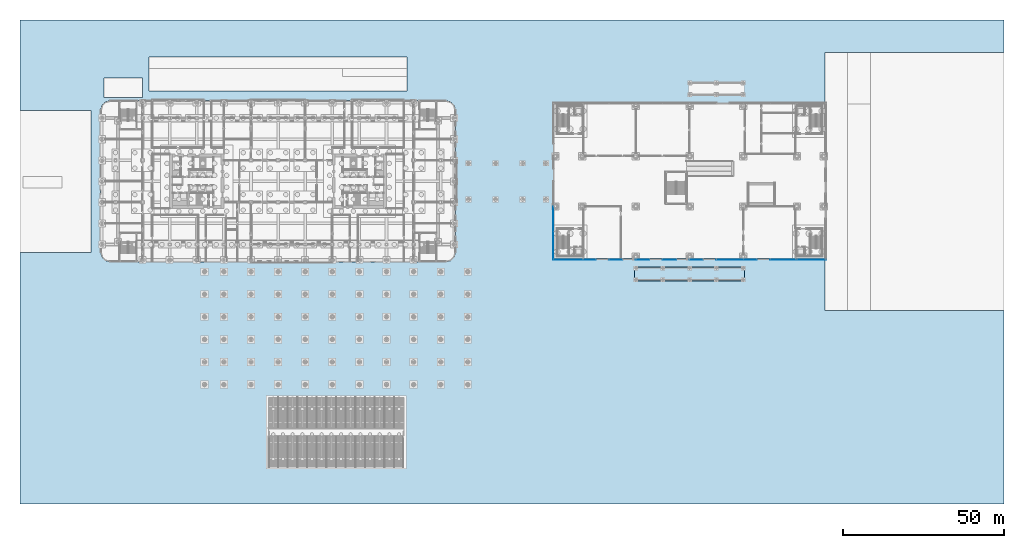
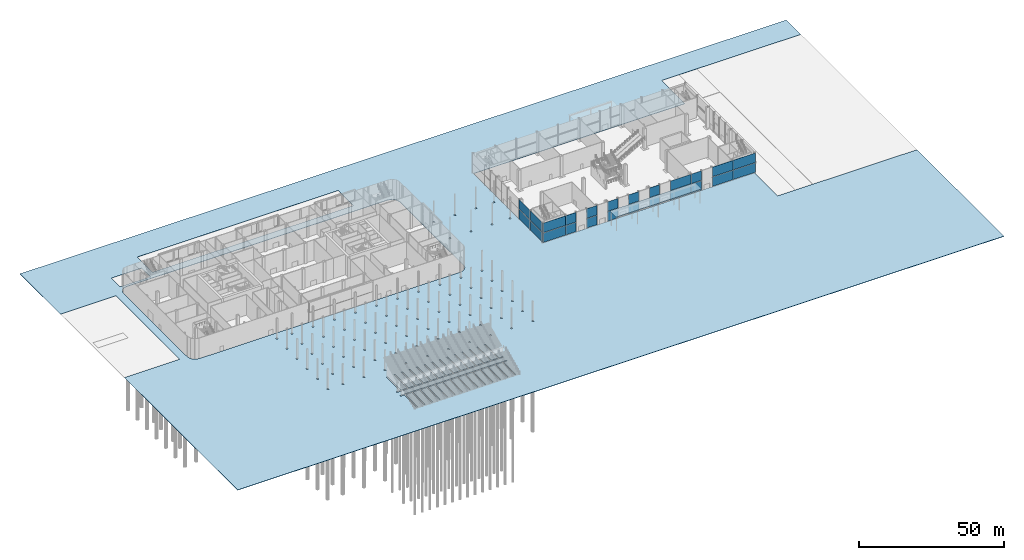
# One storey, part 32 of 113: 24 plates, 2 slabs, 2 elements without a shape of their own.
"""IFC4 building model written with IfcOpenShell, lengths in metres."""

from ifc_helpers import new_model, si_unit, direction, frame, origin, origin_2d, place, context, subcontext, project, spatial, polyline, rectangle, outline, extrude, material, layer, layer_set, type_object, element, aggregate, save


model = new_model("IFC4")

# Units and contexts
model_context = context("Model", 3, precision=1e-05, world=origin(), true_north=direction((0.0, 1.0)))
body_context = subcontext(model_context, "Body", "Model", "MODEL_VIEW")
ifc_project = project(units=[si_unit("LENGTHUNIT", "METRE"), si_unit("AREAUNIT", "SQUARE_METRE"), si_unit("VOLUMEUNIT", "CUBIC_METRE"), si_unit("PLANEANGLEUNIT", "RADIAN"), si_unit("MASSUNIT", "GRAM", prefix="KILO")], contexts=[model_context])

# Site, building, storey
site_placement = place(None, origin())
site = spatial("IfcSite", under=ifc_project, at=site_placement, CompositionType="ELEMENT")
building_placement = place(site_placement, origin())
building = spatial("IfcBuilding", under=site, at=building_placement, Name="Hakoniwa Tower and Hamabe Station Hall", CompositionType="ELEMENT")
storey_placement = place(building_placement, origin())
storey = spatial("IfcBuildingStorey", under=building, at=storey_placement, Name="L01", CompositionType="ELEMENT", Elevation=0.0)

# Slab
ifc_material_1 = material(Name="Concrete C40", Category="concrete")
ifc_layer_1 = layer(ifc_material_1, 0.199951171875)
ifc_layer_set_1 = layer_set([ifc_layer_1], Name="CANOPY ROOF SLAB 200")
slab_type_1 = type_object("IfcSlabType", Name="CANOPY ROOF SLAB 200", PredefinedType="ROOF", material=ifc_layer_set_1)
slab_1_placement = place(storey_placement, frame((0.0, 0.0, 5.949951171875)))
element("IfcSlab", 1, at=slab_1_placement, inside=storey, type_object=slab_type_1, Name="Entrance canopy S roof", PredefinedType="ROOF", context=body_context, shape_type="SweptSolid", body=[
    extrude(outline(polyline([(144.590087890625, -30.89990234375), (144.590087890625, -26.5), (110.510009765625, -26.5), (110.510009765625, -30.89990234375), (144.590087890625, -30.89990234375)])), origin(), (0.0, 0.0, 1.0), 0.199951171875),
])

# Curtain wall, plates
ifc_material_2 = material(Name="Dark low-e laminated glass", Category="glass")
ifc_layer_2 = layer(ifc_material_2, 0.199951171875)
ifc_layer_set_2 = layer_set([ifc_layer_2], Name="CW-7 STATION")
curtain_wall_type = type_object("IfcCurtainWallType", Name="CW-7 STATION", PredefinedType="NOTDEFINED", material=ifc_layer_set_2)
curtain_wall_1_placement = place(storey_placement, origin())
curtain_wall_1 = element("IfcCurtainWall", 2, at=curtain_wall_1_placement, inside=storey, type_object=curtain_wall_type, Name="Station curtain wall L01 south", PredefinedType="NOTDEFINED")
ifc_material_3 = material(Name="Dark low-e laminated glass", Category="glass")
ifc_layer_3 = layer(ifc_material_3, 0.0400390625)
ifc_layer_set_3 = layer_set([ifc_layer_3], Name="CW-7 STATION GLASS UNIT")
plate_type = type_object("IfcPlateType", Name="CW-7 STATION GLASS UNIT", PredefinedType="CURTAIN_PANEL", material=ifc_layer_set_3)
plate_1_placement = place(storey_placement, frame((89.760009765625, -24.285888671875, 0.35009765625), z_axis=(0.0, 0.0, 1.0), x_axis=(1.0, 0.0, 0.0)))
plate_1 = element("IfcPlate", 3, at=plate_1_placement, type_object=plate_type, Name="CW-7 glass unit", PredefinedType="CURTAIN_PANEL", context=body_context, shape_type="SweptSolid", body=[
    extrude(rectangle(XDim=9.0, YDim=0.0400390625, at=origin_2d()), origin(), (0.0, 0.0, 1.0), 3.989990234375),
])
plate_2_placement = place(storey_placement, frame((89.760009765625, -24.285888671875, 4.4599609375), z_axis=(0.0, 0.0, 1.0), x_axis=(1.0, 0.0, 0.0)))
plate_2 = element("IfcPlate", 4, at=plate_2_placement, type_object=plate_type, Name="CW-7 glass unit", PredefinedType="CURTAIN_PANEL", context=body_context, shape_type="SweptSolid", body=[
    extrude(rectangle(XDim=9.0, YDim=0.0400390625, at=origin_2d()), origin(), (0.0, 0.0, 1.0), 3.989990234375),
])
plate_3_placement = place(storey_placement, frame((96.35009765625, -24.285888671875, 0.35009765625), z_axis=(0.0, 0.0, 1.0), x_axis=(1.0, 0.0, 0.0)))
plate_3 = element("IfcPlate", 5, at=plate_3_placement, type_object=plate_type, Name="CW-7 glass unit", PredefinedType="CURTAIN_PANEL", context=body_context, shape_type="SweptSolid", body=[
    extrude(rectangle(XDim=4.139892578125, YDim=0.0400390625, at=origin_2d()), origin(), (0.0, 0.0, 1.0), 3.989990234375),
])
plate_4_placement = place(storey_placement, frame((96.35009765625, -24.285888671875, 4.4599609375), z_axis=(0.0, 0.0, 1.0), x_axis=(1.0, 0.0, 0.0)))
plate_4 = element("IfcPlate", 6, at=plate_4_placement, type_object=plate_type, Name="CW-7 glass unit", PredefinedType="CURTAIN_PANEL", context=body_context, shape_type="SweptSolid", body=[
    extrude(rectangle(XDim=4.139892578125, YDim=0.0400390625, at=origin_2d()), origin(), (0.0, 0.0, 1.0), 3.989990234375),
])
plate_5_placement = place(storey_placement, frame((104.669921875, -24.285888671875, 0.35009765625), z_axis=(0.0, 0.0, 1.0), x_axis=(1.0, 0.0, 0.0)))
plate_5 = element("IfcPlate", 7, at=plate_5_placement, type_object=plate_type, Name="CW-7 glass unit", PredefinedType="CURTAIN_PANEL", context=body_context, shape_type="SweptSolid", body=[
    extrude(rectangle(XDim=4.139892578125, YDim=0.0400390625, at=origin_2d()), origin(), (0.0, 0.0, 1.0), 3.989990234375),
])
plate_6_placement = place(storey_placement, frame((104.669921875, -24.285888671875, 4.4599609375), z_axis=(0.0, 0.0, 1.0), x_axis=(1.0, 0.0, 0.0)))
plate_6 = element("IfcPlate", 8, at=plate_6_placement, type_object=plate_type, Name="CW-7 glass unit", PredefinedType="CURTAIN_PANEL", context=body_context, shape_type="SweptSolid", body=[
    extrude(rectangle(XDim=4.139892578125, YDim=0.0400390625, at=origin_2d()), origin(), (0.0, 0.0, 1.0), 3.989990234375),
])
plate_7_placement = place(storey_placement, frame((112.989990234375, -24.285888671875, 0.35009765625), z_axis=(0.0, 0.0, 1.0), x_axis=(1.0, 0.0, 0.0)))
plate_7 = element("IfcPlate", 9, at=plate_7_placement, type_object=plate_type, Name="CW-7 glass unit", PredefinedType="CURTAIN_PANEL", context=body_context, shape_type="SweptSolid", body=[
    extrude(rectangle(XDim=4.139892578125, YDim=0.0400390625, at=origin_2d()), origin(), (0.0, 0.0, 1.0), 3.989990234375),
])
plate_8_placement = place(storey_placement, frame((112.989990234375, -24.285888671875, 4.4599609375), z_axis=(0.0, 0.0, 1.0), x_axis=(1.0, 0.0, 0.0)))
plate_8 = element("IfcPlate", 10, at=plate_8_placement, type_object=plate_type, Name="CW-7 glass unit", PredefinedType="CURTAIN_PANEL", context=body_context, shape_type="SweptSolid", body=[
    extrude(rectangle(XDim=4.139892578125, YDim=0.0400390625, at=origin_2d()), origin(), (0.0, 0.0, 1.0), 3.989990234375),
])
plate_9_placement = place(storey_placement, frame((121.31005859375, -24.285888671875, 0.35009765625), z_axis=(0.0, 0.0, 1.0), x_axis=(1.0, 0.0, 0.0)))
plate_9 = element("IfcPlate", 11, at=plate_9_placement, type_object=plate_type, Name="CW-7 glass unit", PredefinedType="CURTAIN_PANEL", context=body_context, shape_type="SweptSolid", body=[
    extrude(rectangle(XDim=4.139892578125, YDim=0.0400390625, at=origin_2d()), origin(), (0.0, 0.0, 1.0), 3.989990234375),
])
plate_10_placement = place(storey_placement, frame((121.31005859375, -24.285888671875, 4.4599609375), z_axis=(0.0, 0.0, 1.0), x_axis=(1.0, 0.0, 0.0)))
plate_10 = element("IfcPlate", 12, at=plate_10_placement, type_object=plate_type, Name="CW-7 glass unit", PredefinedType="CURTAIN_PANEL", context=body_context, shape_type="SweptSolid", body=[
    extrude(rectangle(XDim=4.139892578125, YDim=0.0400390625, at=origin_2d()), origin(), (0.0, 0.0, 1.0), 3.989990234375),
])
plate_11_placement = place(storey_placement, frame((129.6298828125, -24.285888671875, 0.35009765625), z_axis=(0.0, 0.0, 1.0), x_axis=(1.0, 0.0, 0.0)))
plate_11 = element("IfcPlate", 13, at=plate_11_placement, type_object=plate_type, Name="CW-7 glass unit", PredefinedType="CURTAIN_PANEL", context=body_context, shape_type="SweptSolid", body=[
    extrude(rectangle(XDim=4.139892578125, YDim=0.0400390625, at=origin_2d()), origin(), (0.0, 0.0, 1.0), 3.989990234375),
])
plate_12_placement = place(storey_placement, frame((129.6298828125, -24.285888671875, 4.4599609375), z_axis=(0.0, 0.0, 1.0), x_axis=(1.0, 0.0, 0.0)))
plate_12 = element("IfcPlate", 14, at=plate_12_placement, type_object=plate_type, Name="CW-7 glass unit", PredefinedType="CURTAIN_PANEL", context=body_context, shape_type="SweptSolid", body=[
    extrude(rectangle(XDim=4.139892578125, YDim=0.0400390625, at=origin_2d()), origin(), (0.0, 0.0, 1.0), 3.989990234375),
])
plate_13_placement = place(storey_placement, frame((140.030029296875, -24.285888671875, 0.35009765625), z_axis=(0.0, 0.0, 1.0), x_axis=(1.0, 0.0, 0.0)))
plate_13 = element("IfcPlate", 15, at=plate_13_placement, type_object=plate_type, Name="CW-7 glass unit", PredefinedType="CURTAIN_PANEL", context=body_context, shape_type="SweptSolid", body=[
    extrude(rectangle(XDim=8.300048828125, YDim=0.0400390625, at=origin_2d()), origin(), (0.0, 0.0, 1.0), 3.989990234375),
])
plate_14_placement = place(storey_placement, frame((140.030029296875, -24.285888671875, 4.4599609375), z_axis=(0.0, 0.0, 1.0), x_axis=(1.0, 0.0, 0.0)))
plate_14 = element("IfcPlate", 16, at=plate_14_placement, type_object=plate_type, Name="CW-7 glass unit", PredefinedType="CURTAIN_PANEL", context=body_context, shape_type="SweptSolid", body=[
    extrude(rectangle(XDim=8.300048828125, YDim=0.0400390625, at=origin_2d()), origin(), (0.0, 0.0, 1.0), 3.989990234375),
])
plate_15_placement = place(storey_placement, frame((146.27001953125, -24.285888671875, 0.35009765625), z_axis=(0.0, 0.0, 1.0), x_axis=(1.0, 0.0, 0.0)))
plate_15 = element("IfcPlate", 17, at=plate_15_placement, type_object=plate_type, Name="CW-7 glass unit", PredefinedType="CURTAIN_PANEL", context=body_context, shape_type="SweptSolid", body=[
    extrude(rectangle(XDim=4.139892578125, YDim=0.0400390625, at=origin_2d()), origin(), (0.0, 0.0, 1.0), 3.989990234375),
])
plate_16_placement = place(storey_placement, frame((146.27001953125, -24.285888671875, 4.4599609375), z_axis=(0.0, 0.0, 1.0), x_axis=(1.0, 0.0, 0.0)))
plate_16 = element("IfcPlate", 18, at=plate_16_placement, type_object=plate_type, Name="CW-7 glass unit", PredefinedType="CURTAIN_PANEL", context=body_context, shape_type="SweptSolid", body=[
    extrude(rectangle(XDim=4.139892578125, YDim=0.0400390625, at=origin_2d()), origin(), (0.0, 0.0, 1.0), 3.989990234375),
])
plate_17_placement = place(storey_placement, frame((156.669921875, -24.285888671875, 0.35009765625), z_axis=(0.0, 0.0, 1.0), x_axis=(1.0, 0.0, 0.0)))
plate_17 = element("IfcPlate", 19, at=plate_17_placement, type_object=plate_type, Name="CW-7 glass unit", PredefinedType="CURTAIN_PANEL", context=body_context, shape_type="SweptSolid", body=[
    extrude(rectangle(XDim=8.300048828125, YDim=0.0400390625, at=origin_2d()), origin(), (0.0, 0.0, 1.0), 3.989990234375),
])
plate_18_placement = place(storey_placement, frame((156.669921875, -24.285888671875, 4.4599609375), z_axis=(0.0, 0.0, 1.0), x_axis=(1.0, 0.0, 0.0)))
plate_18 = element("IfcPlate", 20, at=plate_18_placement, type_object=plate_type, Name="CW-7 glass unit", PredefinedType="CURTAIN_PANEL", context=body_context, shape_type="SweptSolid", body=[
    extrude(rectangle(XDim=8.300048828125, YDim=0.0400390625, at=origin_2d()), origin(), (0.0, 0.0, 1.0), 3.989990234375),
])
plate_19_placement = place(storey_placement, frame((165.340087890625, -24.285888671875, 0.35009765625), z_axis=(0.0, 0.0, 1.0), x_axis=(1.0, 0.0, 0.0)))
plate_19 = element("IfcPlate", 21, at=plate_19_placement, type_object=plate_type, Name="CW-7 glass unit", PredefinedType="CURTAIN_PANEL", context=body_context, shape_type="SweptSolid", body=[
    extrude(rectangle(XDim=9.0, YDim=0.0400390625, at=origin_2d()), origin(), (0.0, 0.0, 1.0), 3.989990234375),
])
plate_20_placement = place(storey_placement, frame((165.340087890625, -24.285888671875, 4.4599609375), z_axis=(0.0, 0.0, 1.0), x_axis=(1.0, 0.0, 0.0)))
plate_20 = element("IfcPlate", 22, at=plate_20_placement, type_object=plate_type, Name="CW-7 glass unit", PredefinedType="CURTAIN_PANEL", context=body_context, shape_type="SweptSolid", body=[
    extrude(rectangle(XDim=9.0, YDim=0.0400390625, at=origin_2d()), origin(), (0.0, 0.0, 1.0), 3.989990234375),
])
aggregate(curtain_wall_1, [plate_1, plate_2, plate_3, plate_4, plate_5, plate_6, plate_7, plate_8, plate_9, plate_10, plate_11, plate_12, plate_13, plate_14, plate_15, plate_16, plate_17, plate_18, plate_19, plate_20])

curtain_wall_2_placement = place(storey_placement, origin())
curtain_wall_2 = element("IfcCurtainWall", 23, at=curtain_wall_2_placement, inside=storey, type_object=curtain_wall_type, Name="Station curtain wall L01 west", PredefinedType="NOTDEFINED")
plate_21_placement = place(storey_placement, frame((85.263916015625, -11.699951171875, 0.35009765625), z_axis=(0.0, 0.0, 1.0), x_axis=(0.0, -1.0, 0.0)))
plate_21 = element("IfcPlate", 24, at=plate_21_placement, type_object=plate_type, Name="CW-7 glass unit", PredefinedType="CURTAIN_PANEL", context=body_context, shape_type="SweptSolid", body=[
    extrude(rectangle(XDim=7.780029296875, YDim=0.0400390625, at=origin_2d()), origin(), (0.0, 0.0, 1.0), 3.989990234375),
])
plate_22_placement = place(storey_placement, frame((85.263916015625, -11.699951171875, 4.4599609375), z_axis=(0.0, 0.0, 1.0), x_axis=(0.0, -1.0, 0.0)))
plate_22 = element("IfcPlate", 25, at=plate_22_placement, type_object=plate_type, Name="CW-7 glass unit", PredefinedType="CURTAIN_PANEL", context=body_context, shape_type="SweptSolid", body=[
    extrude(rectangle(XDim=7.780029296875, YDim=0.0400390625, at=origin_2d()), origin(), (0.0, 0.0, 1.0), 3.989990234375),
])
plate_23_placement = place(storey_placement, frame((85.263916015625, -19.85009765625, 0.35009765625), z_axis=(0.0, 0.0, 1.0), x_axis=(0.0, -1.0, 0.0)))
plate_23 = element("IfcPlate", 26, at=plate_23_placement, type_object=plate_type, Name="CW-7 glass unit", PredefinedType="CURTAIN_PANEL", context=body_context, shape_type="SweptSolid", body=[
    extrude(rectangle(XDim=8.47998046875, YDim=0.0400390625, at=origin_2d()), origin(), (0.0, 0.0, 1.0), 3.989990234375),
])
plate_24_placement = place(storey_placement, frame((85.263916015625, -19.85009765625, 4.4599609375), z_axis=(0.0, 0.0, 1.0), x_axis=(0.0, -1.0, 0.0)))
plate_24 = element("IfcPlate", 27, at=plate_24_placement, type_object=plate_type, Name="CW-7 glass unit", PredefinedType="CURTAIN_PANEL", context=body_context, shape_type="SweptSolid", body=[
    extrude(rectangle(XDim=8.47998046875, YDim=0.0400390625, at=origin_2d()), origin(), (0.0, 0.0, 1.0), 3.989990234375),
])
aggregate(curtain_wall_2, [plate_21, plate_22, plate_23, plate_24])

# Slab
ifc_material_4 = material(Name="Concrete block paving on compacted base", Category="concrete")
ifc_layer_4 = layer(ifc_material_4, 0.14990234375)
ifc_layer_set_4 = layer_set([ifc_layer_4], Name="SITE FORECOURT PAVING 150")
slab_type_2 = type_object("IfcSlabType", Name="SITE FORECOURT PAVING 150", PredefinedType="USERDEFINED", material=ifc_layer_set_4)
slab_2_placement = place(storey_placement, frame((0.0, 0.0, -0.14990234375)))
element("IfcSlab", 28, at=slab_2_placement, inside=storey, type_object=slab_type_2, Name="Forecourt", ObjectType="PAVING", PredefinedType="USERDEFINED", context=body_context, shape_type="SweptSolid", body=[
    extrude(outline(polyline([(225.0, 40.0), (225.0, 50.0), (-80.0, 50.0), (-80.0, 22.0), (-58.0, 22.0), (-58.0, -22.0), (-80.0, -22.0), (-80.0, -100.0), (225.0, -100.0), (225.0, -40.0), (183.550048828125, -40.0), (176.550048828125, -40.0), (169.550048828125, -40.0), (169.550048828125, -24.0), (85.550048828125, -24.0), (85.550048828125, 24.0), (169.550048828125, 24.0), (169.550048828125, 40.0), (176.550048828125, 40.0), (183.550048828125, 40.0), (225.0, 40.0)]), holes=[polyline([(-53.5, -24.59814453125), (-54.59814453125, -23.5), (-55.0, -22.0), (-55.0, 22.0), (-54.59814453125, 23.5), (-53.5, 24.59814453125), (-52.0, 25.0), (52.0, 25.0), (53.5, 24.59814453125), (54.59814453125, 23.5), (55.0, 22.0), (55.0, -22.0), (54.59814453125, -23.5), (53.5, -24.59814453125), (52.0, -25.0), (-52.0, -25.0), (-53.5, -24.59814453125)]), polyline([(7.300048828125, -87.6708984375), (7.300048828125, -79.280029296875), (4.699951171875, -79.280029296875), (4.699951171875, -87.6708984375), (4.300048828125, -87.6708984375), (4.300048828125, -79.280029296875), (1.699951171875, -79.280029296875), (1.699951171875, -87.6708984375), (1.300048828125, -87.6708984375), (1.300048828125, -79.280029296875), (-1.300048828125, -79.280029296875), (-1.300048828125, -87.6708984375), (-1.699951171875, -87.6708984375), (-1.699951171875, -79.280029296875), (-3.199951171875, -79.280029296875), (-3.199951171875, -78.8798828125), (39.199951171875, -78.8798828125), (39.199951171875, -79.280029296875), (37.699951171875, -79.280029296875), (37.699951171875, -87.6708984375), (37.300048828125, -87.6708984375), (37.300048828125, -79.280029296875), (34.699951171875, -79.280029296875), (34.699951171875, -87.6708984375), (34.300048828125, -87.6708984375), (34.300048828125, -79.280029296875), (31.699951171875, -79.280029296875), (31.699951171875, -87.6708984375), (31.300048828125, -87.6708984375), (31.300048828125, -79.280029296875), (28.699951171875, -79.280029296875), (28.699951171875, -87.6708984375), (28.300048828125, -87.6708984375), (28.300048828125, -79.280029296875), (25.699951171875, -79.280029296875), (25.699951171875, -87.6708984375), (25.300048828125, -87.6708984375), (25.300048828125, -79.280029296875), (22.699951171875, -79.280029296875), (22.699951171875, -87.6708984375), (22.300048828125, -87.6708984375), (22.300048828125, -79.280029296875), (19.699951171875, -79.280029296875), (19.699951171875, -87.6708984375), (19.300048828125, -87.6708984375), (19.300048828125, -79.280029296875), (16.699951171875, -79.280029296875), (16.699951171875, -87.6708984375), (16.300048828125, -87.6708984375), (16.300048828125, -79.280029296875), (13.699951171875, -79.280029296875), (13.699951171875, -87.6708984375), (13.300048828125, -87.6708984375), (13.300048828125, -79.280029296875), (10.699951171875, -79.280029296875), (10.699951171875, -87.6708984375), (10.300048828125, -87.6708984375), (10.300048828125, -79.280029296875), (7.699951171875, -79.280029296875), (7.699951171875, -87.6708984375), (7.300048828125, -87.6708984375)]), polyline([(34.300048828125, -67.0), (34.699951171875, -67.0), (34.699951171875, -76.280029296875), (37.300048828125, -76.280029296875), (37.300048828125, -67.0), (37.699951171875, -67.0), (37.699951171875, -76.280029296875), (39.199951171875, -76.280029296875), (39.199951171875, -76.679931640625), (-3.199951171875, -76.679931640625), (-3.199951171875, -76.280029296875), (-1.699951171875, -76.280029296875), (-1.699951171875, -67.0), (-1.300048828125, -67.0), (-1.300048828125, -76.280029296875), (1.300048828125, -76.280029296875), (1.300048828125, -67.0), (1.699951171875, -67.0), (1.699951171875, -76.280029296875), (4.300048828125, -76.280029296875), (4.300048828125, -67.0), (4.699951171875, -67.0), (4.699951171875, -76.280029296875), (7.300048828125, -76.280029296875), (7.300048828125, -67.0), (7.699951171875, -67.0), (7.699951171875, -76.280029296875), (10.300048828125, -76.280029296875), (10.300048828125, -67.0), (10.699951171875, -67.0), (10.699951171875, -76.280029296875), (13.300048828125, -76.280029296875), (13.300048828125, -67.0), (13.699951171875, -67.0), (13.699951171875, -76.280029296875), (16.300048828125, -76.280029296875), (16.300048828125, -67.0), (16.699951171875, -67.0), (16.699951171875, -76.280029296875), (19.300048828125, -76.280029296875), (19.300048828125, -67.0), (19.699951171875, -67.0), (19.699951171875, -76.280029296875), (22.300048828125, -76.280029296875), (22.300048828125, -67.0), (22.699951171875, -67.0), (22.699951171875, -76.280029296875), (25.300048828125, -76.280029296875), (25.300048828125, -67.0), (25.699951171875, -67.0), (25.699951171875, -76.280029296875), (28.300048828125, -76.280029296875), (28.300048828125, -67.0), (28.699951171875, -67.0), (28.699951171875, -76.280029296875), (31.300048828125, -76.280029296875), (31.300048828125, -67.0), (31.699951171875, -67.0), (31.699951171875, -76.280029296875), (34.300048828125, -76.280029296875), (34.300048828125, -67.0)]), polyline([(-42.0, 32.0), (-42.0, 26.0), (-54.0, 26.0), (-54.0, 32.0), (-42.0, 32.0)]), polyline([(40.0, 32.5), (40.0, 28.0), (-40.0, 28.0), (-40.0, 35.0), (-40.0, 38.5), (40.0, 38.5), (40.0, 35.0), (40.0, 32.5)]), polyline([(-8.699951171875, -63.300048828125), (-8.699951171875, -62.699951171875), (-8.10009765625, -62.699951171875), (-8.10009765625, -63.300048828125), (-8.699951171875, -63.300048828125)]), polyline([(8.10009765625, -63.300048828125), (8.10009765625, -62.699951171875), (8.699951171875, -62.699951171875), (8.699951171875, -63.300048828125), (8.10009765625, -63.300048828125)]), polyline([(-0.300048828125, -63.300048828125), (-0.300048828125, -62.699951171875), (0.300048828125, -62.699951171875), (0.300048828125, -63.300048828125), (-0.300048828125, -63.300048828125)]), polyline([(-17.10009765625, -63.300048828125), (-17.10009765625, -62.699951171875), (-16.5, -62.699951171875), (-16.5, -63.300048828125), (-17.10009765625, -63.300048828125)]), polyline([(-23.10009765625, -63.300048828125), (-23.10009765625, -62.699951171875), (-22.5, -62.699951171875), (-22.5, -63.300048828125), (-23.10009765625, -63.300048828125)]), polyline([(-17.10009765625, -56.300048828125), (-17.10009765625, -55.699951171875), (-16.5, -55.699951171875), (-16.5, -56.300048828125), (-17.10009765625, -56.300048828125)]), polyline([(-23.10009765625, -56.300048828125), (-23.10009765625, -55.699951171875), (-22.5, -55.699951171875), (-22.5, -56.300048828125), (-23.10009765625, -56.300048828125)]), polyline([(-8.699951171875, -55.699951171875), (-8.10009765625, -55.699951171875), (-8.10009765625, -56.300048828125), (-8.699951171875, -56.300048828125), (-8.699951171875, -55.699951171875)]), polyline([(-0.300048828125, -55.699951171875), (0.300048828125, -55.699951171875), (0.300048828125, -56.300048828125), (-0.300048828125, -56.300048828125), (-0.300048828125, -55.699951171875)]), polyline([(-23.10009765625, -49.300048828125), (-23.10009765625, -48.699951171875), (-22.5, -48.699951171875), (-22.5, -49.300048828125), (-23.10009765625, -49.300048828125)]), polyline([(-17.10009765625, -49.300048828125), (-17.10009765625, -48.699951171875), (-16.5, -48.699951171875), (-16.5, -49.300048828125), (-17.10009765625, -49.300048828125)]), polyline([(-0.300048828125, -49.300048828125), (-0.300048828125, -48.699951171875), (0.300048828125, -48.699951171875), (0.300048828125, -49.300048828125), (-0.300048828125, -49.300048828125)]), polyline([(-8.699951171875, -49.300048828125), (-8.699951171875, -48.699951171875), (-8.10009765625, -48.699951171875), (-8.10009765625, -49.300048828125), (-8.699951171875, -49.300048828125)]), polyline([(-8.699951171875, -42.300048828125), (-8.699951171875, -41.699951171875), (-8.10009765625, -41.699951171875), (-8.10009765625, -42.300048828125), (-8.699951171875, -42.300048828125)]), polyline([(-0.300048828125, -42.300048828125), (-0.300048828125, -41.699951171875), (0.300048828125, -41.699951171875), (0.300048828125, -42.300048828125), (-0.300048828125, -42.300048828125)]), polyline([(-23.10009765625, -42.300048828125), (-23.10009765625, -41.699951171875), (-22.5, -41.699951171875), (-22.5, -42.300048828125), (-23.10009765625, -42.300048828125)]), polyline([(-17.10009765625, -41.699951171875), (-16.5, -41.699951171875), (-16.5, -42.300048828125), (-17.10009765625, -42.300048828125), (-17.10009765625, -41.699951171875)]), polyline([(-8.699951171875, -34.699951171875), (-8.10009765625, -34.699951171875), (-8.10009765625, -35.300048828125), (-8.699951171875, -35.300048828125), (-8.699951171875, -34.699951171875)]), polyline([(-0.300048828125, -35.300048828125), (-0.300048828125, -34.699951171875), (0.300048828125, -34.699951171875), (0.300048828125, -35.300048828125), (-0.300048828125, -35.300048828125)]), polyline([(-23.10009765625, -35.300048828125), (-23.10009765625, -34.699951171875), (-22.5, -34.699951171875), (-22.5, -35.300048828125), (-23.10009765625, -35.300048828125)]), polyline([(-17.10009765625, -35.300048828125), (-17.10009765625, -34.699951171875), (-16.5, -34.699951171875), (-16.5, -35.300048828125), (-17.10009765625, -35.300048828125)]), polyline([(-8.699951171875, -28.300048828125), (-8.699951171875, -27.699951171875), (-8.10009765625, -27.699951171875), (-8.10009765625, -28.300048828125), (-8.699951171875, -28.300048828125)]), polyline([(-23.10009765625, -28.300048828125), (-23.10009765625, -27.699951171875), (-22.5, -27.699951171875), (-22.5, -28.300048828125), (-23.10009765625, -28.300048828125)]), polyline([(-0.300048828125, -28.300048828125), (-0.300048828125, -27.699951171875), (0.300048828125, -27.699951171875), (0.300048828125, -28.300048828125), (-0.300048828125, -28.300048828125)]), polyline([(-17.10009765625, -28.300048828125), (-17.10009765625, -27.699951171875), (-16.5, -27.699951171875), (-16.5, -28.300048828125), (-17.10009765625, -28.300048828125)]), polyline([(41.699951171875, -62.699951171875), (42.300048828125, -62.699951171875), (42.300048828125, -63.300048828125), (41.699951171875, -63.300048828125), (41.699951171875, -62.699951171875)]), polyline([(33.300048828125, -62.699951171875), (33.89990234375, -62.699951171875), (33.89990234375, -63.300048828125), (33.300048828125, -63.300048828125), (33.300048828125, -62.699951171875)]), polyline([(16.5, -63.300048828125), (16.5, -62.699951171875), (17.10009765625, -62.699951171875), (17.10009765625, -63.300048828125), (16.5, -63.300048828125)]), polyline([(24.89990234375, -63.300048828125), (24.89990234375, -62.699951171875), (25.5, -62.699951171875), (25.5, -63.300048828125), (24.89990234375, -63.300048828125)]), polyline([(24.89990234375, -56.300048828125), (24.89990234375, -55.699951171875), (25.5, -55.699951171875), (25.5, -56.300048828125), (24.89990234375, -56.300048828125)]), polyline([(41.699951171875, -55.699951171875), (42.300048828125, -55.699951171875), (42.300048828125, -56.300048828125), (41.699951171875, -56.300048828125), (41.699951171875, -55.699951171875)]), polyline([(33.300048828125, -55.699951171875), (33.89990234375, -55.699951171875), (33.89990234375, -56.300048828125), (33.300048828125, -56.300048828125), (33.300048828125, -55.699951171875)]), polyline([(8.10009765625, -56.300048828125), (8.10009765625, -55.699951171875), (8.699951171875, -55.699951171875), (8.699951171875, -56.300048828125), (8.10009765625, -56.300048828125)]), polyline([(16.5, -56.300048828125), (16.5, -55.699951171875), (17.10009765625, -55.699951171875), (17.10009765625, -56.300048828125), (16.5, -56.300048828125)]), polyline([(16.5, -49.300048828125), (16.5, -48.699951171875), (17.10009765625, -48.699951171875), (17.10009765625, -49.300048828125), (16.5, -49.300048828125)]), polyline([(24.89990234375, -48.699951171875), (25.5, -48.699951171875), (25.5, -49.300048828125), (24.89990234375, -49.300048828125), (24.89990234375, -48.699951171875)]), polyline([(33.300048828125, -48.699951171875), (33.89990234375, -48.699951171875), (33.89990234375, -49.300048828125), (33.300048828125, -49.300048828125), (33.300048828125, -48.699951171875)]), polyline([(8.10009765625, -49.300048828125), (8.10009765625, -48.699951171875), (8.699951171875, -48.699951171875), (8.699951171875, -49.300048828125), (8.10009765625, -49.300048828125)]), polyline([(16.5, -42.300048828125), (16.5, -41.699951171875), (17.10009765625, -41.699951171875), (17.10009765625, -42.300048828125), (16.5, -42.300048828125)]), polyline([(24.89990234375, -42.300048828125), (24.89990234375, -41.699951171875), (25.5, -41.699951171875), (25.5, -42.300048828125), (24.89990234375, -42.300048828125)]), polyline([(33.300048828125, -42.300048828125), (33.300048828125, -41.699951171875), (33.89990234375, -41.699951171875), (33.89990234375, -42.300048828125), (33.300048828125, -42.300048828125)]), polyline([(8.10009765625, -42.300048828125), (8.10009765625, -41.699951171875), (8.699951171875, -41.699951171875), (8.699951171875, -42.300048828125), (8.10009765625, -42.300048828125)]), polyline([(16.5, -35.300048828125), (16.5, -34.699951171875), (17.10009765625, -34.699951171875), (17.10009765625, -35.300048828125), (16.5, -35.300048828125)]), polyline([(24.89990234375, -35.300048828125), (24.89990234375, -34.699951171875), (25.5, -34.699951171875), (25.5, -35.300048828125), (24.89990234375, -35.300048828125)]), polyline([(8.10009765625, -34.699951171875), (8.699951171875, -34.699951171875), (8.699951171875, -35.300048828125), (8.10009765625, -35.300048828125), (8.10009765625, -34.699951171875)]), polyline([(33.300048828125, -34.699951171875), (33.89990234375, -34.699951171875), (33.89990234375, -35.300048828125), (33.300048828125, -35.300048828125), (33.300048828125, -34.699951171875)]), polyline([(24.89990234375, -28.300048828125), (24.89990234375, -27.699951171875), (25.5, -27.699951171875), (25.5, -28.300048828125), (24.89990234375, -28.300048828125)]), polyline([(16.5, -28.300048828125), (16.5, -27.699951171875), (17.10009765625, -27.699951171875), (17.10009765625, -28.300048828125), (16.5, -28.300048828125)]), polyline([(8.10009765625, -28.300048828125), (8.10009765625, -27.699951171875), (8.699951171875, -27.699951171875), (8.699951171875, -28.300048828125), (8.10009765625, -28.300048828125)]), polyline([(33.300048828125, -28.300048828125), (33.300048828125, -27.699951171875), (33.89990234375, -27.699951171875), (33.89990234375, -28.300048828125), (33.300048828125, -28.300048828125)]), polyline([(58.5, -63.300048828125), (58.5, -62.699951171875), (59.10009765625, -62.699951171875), (59.10009765625, -63.300048828125), (58.5, -63.300048828125)]), polyline([(50.10009765625, -63.300048828125), (50.10009765625, -62.699951171875), (50.699951171875, -62.699951171875), (50.699951171875, -63.300048828125), (50.10009765625, -63.300048828125)]), polyline([(58.5, -56.300048828125), (58.5, -55.699951171875), (59.10009765625, -55.699951171875), (59.10009765625, -56.300048828125), (58.5, -56.300048828125)]), polyline([(50.10009765625, -55.699951171875), (50.699951171875, -55.699951171875), (50.699951171875, -56.300048828125), (50.10009765625, -56.300048828125), (50.10009765625, -55.699951171875)]), polyline([(41.699951171875, -48.699951171875), (42.300048828125, -48.699951171875), (42.300048828125, -49.300048828125), (41.699951171875, -49.300048828125), (41.699951171875, -48.699951171875)]), polyline([(58.5, -49.300048828125), (58.5, -48.699951171875), (59.10009765625, -48.699951171875), (59.10009765625, -49.300048828125), (58.5, -49.300048828125)]), polyline([(50.10009765625, -49.300048828125), (50.10009765625, -48.699951171875), (50.699951171875, -48.699951171875), (50.699951171875, -49.300048828125), (50.10009765625, -49.300048828125)]), polyline([(41.699951171875, -42.300048828125), (41.699951171875, -41.699951171875), (42.300048828125, -41.699951171875), (42.300048828125, -42.300048828125), (41.699951171875, -42.300048828125)]), polyline([(58.5, -42.300048828125), (58.5, -41.699951171875), (59.10009765625, -41.699951171875), (59.10009765625, -42.300048828125), (58.5, -42.300048828125)]), polyline([(50.10009765625, -42.300048828125), (50.10009765625, -41.699951171875), (50.699951171875, -41.699951171875), (50.699951171875, -42.300048828125), (50.10009765625, -42.300048828125)]), polyline([(58.5, -35.300048828125), (58.5, -34.699951171875), (59.10009765625, -34.699951171875), (59.10009765625, -35.300048828125), (58.5, -35.300048828125)]), polyline([(50.10009765625, -35.300048828125), (50.10009765625, -34.699951171875), (50.699951171875, -34.699951171875), (50.699951171875, -35.300048828125), (50.10009765625, -35.300048828125)]), polyline([(41.699951171875, -34.699951171875), (42.300048828125, -34.699951171875), (42.300048828125, -35.300048828125), (41.699951171875, -35.300048828125), (41.699951171875, -34.699951171875)]), polyline([(58.5, -27.699951171875), (59.10009765625, -27.699951171875), (59.10009765625, -28.300048828125), (58.5, -28.300048828125), (58.5, -27.699951171875)]), polyline([(50.10009765625, -28.300048828125), (50.10009765625, -27.699951171875), (50.699951171875, -27.699951171875), (50.699951171875, -28.300048828125), (50.10009765625, -28.300048828125)]), polyline([(41.699951171875, -28.300048828125), (41.699951171875, -27.699951171875), (42.300048828125, -27.699951171875), (42.300048828125, -28.300048828125), (41.699951171875, -28.300048828125)]), polyline([(58.699951171875, -5.89990234375), (58.699951171875, -5.300048828125), (59.300048828125, -5.300048828125), (59.300048828125, -5.89990234375), (58.699951171875, -5.89990234375)]), polyline([(67.10009765625, -5.300048828125), (67.699951171875, -5.300048828125), (67.699951171875, -5.89990234375), (67.10009765625, -5.89990234375), (67.10009765625, -5.300048828125)]), polyline([(75.5, -5.300048828125), (76.10009765625, -5.300048828125), (76.10009765625, -5.89990234375), (75.5, -5.89990234375), (75.5, -5.300048828125)]), polyline([(82.699951171875, -5.89990234375), (82.699951171875, -5.300048828125), (83.300048828125, -5.300048828125), (83.300048828125, -5.89990234375), (82.699951171875, -5.89990234375)]), polyline([(58.699951171875, 5.300048828125), (58.699951171875, 5.89990234375), (59.300048828125, 5.89990234375), (59.300048828125, 5.300048828125), (58.699951171875, 5.300048828125)]), polyline([(67.10009765625, 5.300048828125), (67.10009765625, 5.89990234375), (67.699951171875, 5.89990234375), (67.699951171875, 5.300048828125), (67.10009765625, 5.300048828125)]), polyline([(75.5, 5.89990234375), (76.10009765625, 5.89990234375), (76.10009765625, 5.300048828125), (75.5, 5.300048828125), (75.5, 5.89990234375)]), polyline([(82.699951171875, 5.89990234375), (83.300048828125, 5.89990234375), (83.300048828125, 5.300048828125), (82.699951171875, 5.300048828125), (82.699951171875, 5.89990234375)])]), origin(), (0.0, 0.0, 1.0), 0.14990234375),
])

save(model, "model.ifc")
